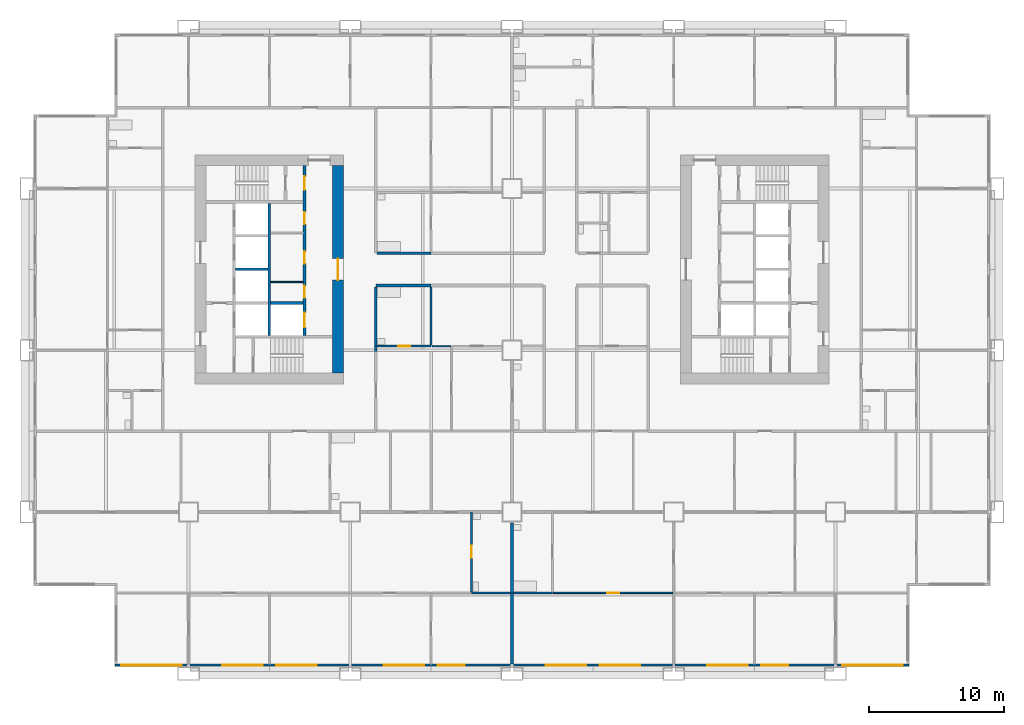
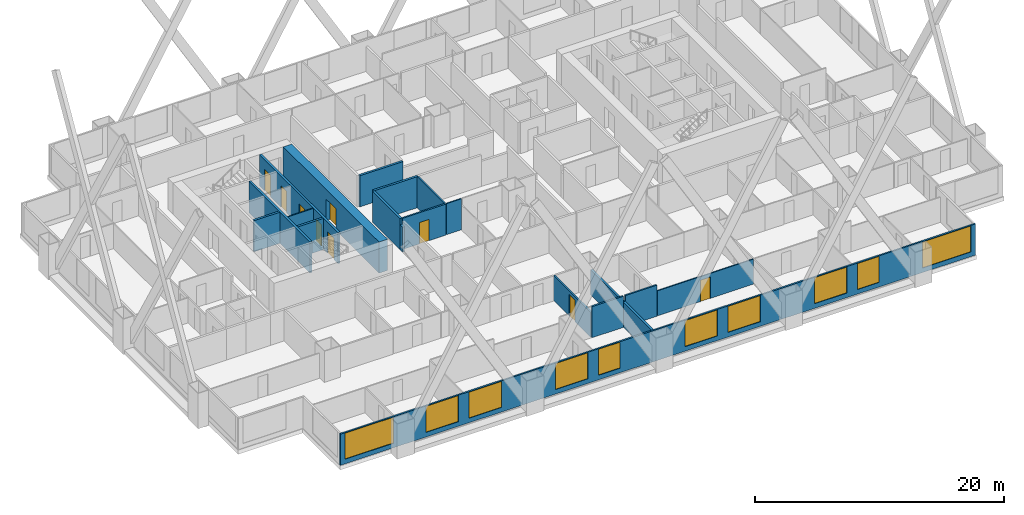
# One storey, part 4 of 13: 20 walls, 10 windows, 9 doors, 19 openings.
"""IFC4 building model written with IfcOpenShell, lengths in metres."""

from ifc_helpers import new_model, si_unit, direction, frame, frame_2d, origin, place, context, subcontext, project, spatial, rectangle, extrude, material, layer, layer_set, type_object, element, fill, save


model = new_model("IFC4")

# Units and contexts
model_context = context("Model", 3, precision=1e-05, world=origin(), true_north=direction((0.0, 1.0)))
body_context = subcontext(model_context, "Body", "Model", "MODEL_VIEW")
ifc_project = project(units=[si_unit("LENGTHUNIT", "METRE"), si_unit("AREAUNIT", "SQUARE_METRE"), si_unit("VOLUMEUNIT", "CUBIC_METRE"), si_unit("PLANEANGLEUNIT", "RADIAN"), si_unit("MASSUNIT", "GRAM", prefix="KILO")], contexts=[model_context])

# Site, building, storey
site_placement = place(None, origin())
site = spatial("IfcSite", under=ifc_project, at=site_placement, CompositionType="ELEMENT")
building_placement = place(site_placement, origin())
building = spatial("IfcBuilding", under=site, at=building_placement, Name="Kitamizu Gate Tower and Museum", CompositionType="ELEMENT")
storey_placement = place(building_placement, frame((0.0, 0.0, 71.39990234375)))
storey = spatial("IfcBuildingStorey", under=building, at=storey_placement, Name="L17", CompositionType="ELEMENT", Elevation=71.39990234375)

# Wall, opening, door
ifc_material_1 = material(Name="Concrete Fc60", Category="concrete")
ifc_layer_1 = layer(ifc_material_1, 0.800048828125)
ifc_layer_set_1 = layer_set([ifc_layer_1], Name="Concrete Fc60")
wall_type_1 = type_object("IfcWallType", Name="Core wall 800", PredefinedType="SHEAR", material=ifc_layer_set_1)
wall_1_placement = place(storey_placement, frame((23.10009765625, 22.300048828125, 0.0), z_axis=(0.0, 0.0, 1.0), x_axis=(0.0, 1.0, 0.0)))
wall_1 = element("IfcWall", 1, at=wall_1_placement, inside=storey, type_object=wall_type_1, Name="Core wall WARC", PredefinedType="SHEAR", context=body_context, shape_type="SweptSolid", body=[
    extrude(rectangle(XDim=15.39990234375, YDim=0.800048828125, at=frame_2d((7.699951171875, 0.0))), origin(), (0.0, 0.0, 1.0), 3.050048828125),
])
opening_1_placement = place(wall_1_placement, frame((6.89990234375, 0.0, 0.0)))
opening_1 = element("IfcOpeningElement", 2, at=opening_1_placement, cuts=wall_1, Name="Opening L17-079", PredefinedType="OPENING", context=body_context, shape_type="SweptSolid", body=[
    extrude(rectangle(XDim=1.60009765625, YDim=2.10009765625, at=frame_2d((0.800048828125, 1.050048828125))), frame((0.0, 0.41015625, 0.0), z_axis=(0.0, -1.0, 0.0), x_axis=(1.0, 0.0, 0.0)), (0.0, 0.0, 1.0), 0.820068359375),
])
ifc_material_2 = material(Name="Timber door set", Category="wood")
door_type_1 = type_object("IfcDoorType", Name="Entrance door 1600", OperationType="DOUBLE_DOOR_SINGLE_SWING", PredefinedType="DOOR", material=ifc_material_2)
door_1_placement = place(opening_1_placement, origin())
door_1 = element("IfcDoor", 3, at=door_1_placement, inside=storey, type_object=door_type_1, Name="Lobby door L17-079", OperationType="DOUBLE_DOOR_SINGLE_SWING", OverallHeight=2.10009765625, OverallWidth=1.60009765625, PredefinedType="DOOR", context=body_context, shape_type="SweptSolid", body=[
    extrude(rectangle(XDim=1.60009765625, YDim=2.10009765625, at=frame_2d((0.800048828125, 1.050048828125))), frame((0.0, 0.02490234375, 0.0), z_axis=(0.0, -1.0, 0.0), x_axis=(1.0, 0.0, 0.0)), (0.0, 0.0, 1.0), 0.050048828125),
])
fill(opening_1, door_1)

# Walls
ifc_material_3 = material(Name="Gypsum board on galvanised stud")
ifc_layer_2 = layer(ifc_material_3, 0.10009765625)
ifc_layer_set_2 = layer_set([ifc_layer_2], Name="Gypsum board on galvanised stud")
wall_type_2 = type_object("IfcWallType", Name="Partition 100", PredefinedType="PARTITIONING", material=ifc_layer_set_2)
wall_2_placement = place(storey_placement, frame((18.10009765625, 29.06005859375, 0.0), z_axis=(0.0, 0.0, 1.0), x_axis=(1.0, 0.0, 0.0)))
element("IfcWall", 4, at=wall_2_placement, inside=storey, type_object=wall_type_2, Name="Partition WPF1", PredefinedType="PARTITIONING", context=body_context, shape_type="SweptSolid", body=[
    extrude(rectangle(XDim=2.39990234375, YDim=0.10009765625, at=frame_2d((1.199951171875, 0.0))), origin(), (0.0, 0.0, 1.0), 3.050048828125),
])
ifc_material_4 = material(Name="Gypsum board on galvanised stud")
ifc_layer_3 = layer(ifc_material_4, 0.10009765625)
ifc_layer_set_3 = layer_set([ifc_layer_3], Name="Gypsum board on galvanised stud")
wall_type_3 = type_object("IfcWallType", Name="Partition 100 NOT RATED", PredefinedType="PARTITIONING", material=ifc_layer_set_3)
wall_3_placement = place(storey_placement, frame((31.449951171875, 24.300048828125, 0.0), z_axis=(0.0, 0.0, 1.0), x_axis=(-1.0, 0.0, 0.0)))
element("IfcWall", 5, at=wall_3_placement, inside=storey, type_object=wall_type_3, Name="Partition L17-040", PredefinedType="PARTITIONING", context=body_context, shape_type="SweptSolid", body=[
    extrude(rectangle(XDim=1.375, YDim=0.10009765625, at=frame_2d((0.6875, 0.0))), origin(), (0.0, 0.0, 1.0), 3.050048828125),
])

# Wall, opening, door
wall_4_placement = place(storey_placement, frame((47.949951171875, 6.0, 0.0), z_axis=(0.0, 0.0, 1.0), x_axis=(-1.0, 0.0, 0.0)))
wall_4 = element("IfcWall", 6, at=wall_4_placement, inside=storey, type_object=wall_type_3, Name="Partition L17-076", PredefinedType="PARTITIONING", context=body_context, shape_type="SweptSolid", body=[
    extrude(rectangle(XDim=8.875, YDim=0.10009765625, at=frame_2d((4.4375, 0.0))), origin(), (0.0, 0.0, 1.0), 2.4501953125),
])
opening_2_placement = place(wall_4_placement, frame((3.987548828125, 0.0, 0.0)))
opening_2 = element("IfcOpeningElement", 7, at=opening_2_placement, cuts=wall_4, Name="Opening L17-032", PredefinedType="OPENING", context=body_context, shape_type="SweptSolid", body=[
    extrude(rectangle(XDim=0.89990234375, YDim=2.10009765625, at=frame_2d((0.449951171875, 1.050048828125))), frame((0.0, 0.06005859375, 0.0), z_axis=(0.0, -1.0, 0.0), x_axis=(1.0, 0.0, 0.0)), (0.0, 0.0, 1.0), 0.1201171875),
])
ifc_material_5 = material(Name="Timber door set", Category="wood")
door_type_2 = type_object("IfcDoorType", Name="Room door 900", OperationType="NOTDEFINED", PredefinedType="DOOR", material=ifc_material_5)
door_2_placement = place(opening_2_placement, origin())
door_2 = element("IfcDoor", 8, at=door_2_placement, inside=storey, type_object=door_type_2, Name="Door L17-032", OperationType="SINGLE_SWING_RIGHT", OverallHeight=2.10009765625, OverallWidth=0.89990234375, PredefinedType="DOOR", context=body_context, shape_type="SweptSolid", body=[
    extrude(rectangle(XDim=0.89990234375, YDim=2.10009765625, at=frame_2d((0.449951171875, 1.050048828125))), frame((0.0, 0.02490234375, 0.0), z_axis=(0.0, -1.0, 0.0), x_axis=(1.0, 0.0, 0.0)), (0.0, 0.0, 1.0), 0.050048828125),
])
fill(opening_2, door_2)

# Wall
ifc_material_6 = material(Name="Gypsum board on galvanised stud")
ifc_layer_4 = layer(ifc_material_6, 0.14990234375)
ifc_layer_set_4 = layer_set([ifc_layer_4], Name="Gypsum board on galvanised stud")
wall_type_4 = type_object("IfcWallType", Name="Partition 150", PredefinedType="PARTITIONING", material=ifc_layer_set_4)
wall_5_placement = place(storey_placement, frame((35.89990234375, 6.0, 0.0), z_axis=(0.0, 0.0, 1.0), x_axis=(-1.0, 0.0, 0.0)))
element("IfcWall", 9, at=wall_5_placement, inside=storey, type_object=wall_type_4, Name="Partition L17-009", PredefinedType="PARTITIONING", context=body_context, shape_type="SweptSolid", body=[
    extrude(rectangle(XDim=2.89990234375, YDim=0.14990234375, at=frame_2d((1.449951171875, 0.0))), origin(), (0.0, 0.0, 1.0), 3.050048828125),
])

# Wall, opening, door
wall_6_placement = place(storey_placement, frame((33.0, 6.074951171875, 0.0), z_axis=(0.0, 0.0, 1.0), x_axis=(0.0, 1.0, 0.0)))
wall_6 = element("IfcWall", 10, at=wall_6_placement, inside=storey, type_object=wall_type_4, Name="Partition L17-011", PredefinedType="PARTITIONING", context=body_context, shape_type="SweptSolid", body=[
    extrude(rectangle(XDim=5.925048828125, YDim=0.14990234375, at=frame_2d((2.96240234375, 0.0))), origin(), (0.0, 0.0, 1.0), 2.4501953125),
])
opening_3_placement = place(wall_6_placement, frame((2.512451171875, 0.0, 0.0)))
opening_3 = element("IfcOpeningElement", 11, at=opening_3_placement, cuts=wall_6, Name="Opening L17-007", PredefinedType="OPENING", context=body_context, shape_type="SweptSolid", body=[
    extrude(rectangle(XDim=0.89990234375, YDim=2.10009765625, at=frame_2d((0.449951171875, 1.050048828125))), frame((0.0, 0.0849609375, 0.0), z_axis=(0.0, -1.0, 0.0), x_axis=(1.0, 0.0, 0.0)), (0.0, 0.0, 1.0), 0.169921875),
])
ifc_material_7 = material(Name="Timber door set", Category="wood")
door_type_3 = type_object("IfcDoorType", Name="Bathroom door 900", OperationType="NOTDEFINED", PredefinedType="DOOR", material=ifc_material_7)
door_3_placement = place(opening_3_placement, frame((0.89990234375, 0.0, 0.0), x_axis=(-1.0, 0.0, 0.0)))
door_3 = element("IfcDoor", 12, at=door_3_placement, inside=storey, type_object=door_type_3, Name="Bathroom door L17-007", OperationType="SINGLE_SWING_LEFT", OverallHeight=2.10009765625, OverallWidth=0.89990234375, PredefinedType="DOOR", context=body_context, shape_type="SweptSolid", body=[
    extrude(rectangle(XDim=0.89990234375, YDim=2.10009765625, at=frame_2d((0.449951171875, 1.050048828125))), frame((0.0, 0.02490234375, 0.0), z_axis=(0.0, -1.0, 0.0), x_axis=(1.0, 0.0, 0.0)), (0.0, 0.0, 1.0), 0.050048828125),
])
fill(opening_3, door_3)

wall_7_placement = place(storey_placement, frame((30.0, 24.300048828125, 0.0), z_axis=(0.0, 0.0, 1.0), x_axis=(-1.0, 0.0, 0.0)))
wall_7 = element("IfcWall", 13, at=wall_7_placement, inside=storey, type_object=wall_type_4, Name="Partition L17-039", PredefinedType="PARTITIONING", context=body_context, shape_type="SweptSolid", body=[
    extrude(rectangle(XDim=4.0, YDim=0.14990234375, at=frame_2d((2.0, 0.0))), origin(), (0.0, 0.0, 1.0), 3.050048828125),
])
opening_4_placement = place(wall_7_placement, frame((1.550048828125, 0.0, 0.0)))
opening_4 = element("IfcOpeningElement", 14, at=opening_4_placement, cuts=wall_7, Name="Opening L17-016", PredefinedType="OPENING", context=body_context, shape_type="SweptSolid", body=[
    extrude(rectangle(XDim=0.89990234375, YDim=2.10009765625, at=frame_2d((0.449951171875, 1.050048828125))), frame((0.0, 0.0849609375, 0.0), z_axis=(0.0, -1.0, 0.0), x_axis=(1.0, 0.0, 0.0)), (0.0, 0.0, 1.0), 0.169921875),
])
door_4_placement = place(opening_4_placement, frame((0.89990234375, 0.0, 0.0), x_axis=(-1.0, 0.0, 0.0)))
door_4 = element("IfcDoor", 15, at=door_4_placement, inside=storey, type_object=door_type_3, Name="Bathroom door L17-016", OperationType="SINGLE_SWING_LEFT", OverallHeight=2.10009765625, OverallWidth=0.89990234375, PredefinedType="DOOR", context=body_context, shape_type="SweptSolid", body=[
    extrude(rectangle(XDim=0.89990234375, YDim=2.10009765625, at=frame_2d((0.449951171875, 1.050048828125))), frame((0.0, 0.02490234375, 0.0), z_axis=(0.0, -1.0, 0.0), x_axis=(1.0, 0.0, 0.0)), (0.0, 0.0, 1.0), 0.050048828125),
])
fill(opening_4, door_4)

# Walls
wall_8_placement = place(storey_placement, frame((30.0, 24.375, 0.0), z_axis=(0.0, 0.0, 1.0), x_axis=(0.0, 1.0, 0.0)))
element("IfcWall", 16, at=wall_8_placement, inside=storey, type_object=wall_type_4, Name="Partition L17-048", PredefinedType="PARTITIONING", context=body_context, shape_type="SweptSolid", body=[
    extrude(rectangle(XDim=4.324951171875, YDim=0.14990234375, at=frame_2d((2.16259765625, 0.0))), origin(), (0.0, 0.0, 1.0), 3.050048828125),
])
wall_9_placement = place(storey_placement, frame((39.0, 6.0, 0.0), z_axis=(0.0, 0.0, 1.0), x_axis=(-1.0, 0.0, 0.0)))
element("IfcWall", 17, at=wall_9_placement, inside=storey, type_object=wall_type_4, Name="Partition L17-075", PredefinedType="PARTITIONING", context=body_context, shape_type="SweptSolid", body=[
    extrude(rectangle(XDim=2.89990234375, YDim=0.14990234375, at=frame_2d((1.449951171875, 0.0))), origin(), (0.0, 0.0, 1.0), 3.050048828125),
])
ifc_material_8 = material(Name="Gypsum board on galvanised stud")
ifc_layer_5 = layer(ifc_material_8, 0.199951171875)
ifc_layer_set_5 = layer_set([ifc_layer_5], Name="Gypsum board on galvanised stud")
wall_type_5 = type_object("IfcWallType", Name="Partition 200", PredefinedType="PARTITIONING", material=ifc_layer_set_5)
wall_10_placement = place(storey_placement, frame((36.0, 0.719970703125, 0.0), z_axis=(0.0, 0.0, 1.0), x_axis=(0.0, 1.0, 0.0)))
element("IfcWall", 18, at=wall_10_placement, inside=storey, type_object=wall_type_5, Name="Partition L17-010", PredefinedType="PARTITIONING", context=body_context, shape_type="SweptSolid", body=[
    extrude(rectangle(XDim=5.280029296875, YDim=0.199951171875, at=frame_2d((2.64013671875, 0.0))), origin(), (0.0, 0.0, 1.0), 2.4501953125),
])
wall_11_placement = place(storey_placement, frame((36.0, 6.0, 0.0), z_axis=(0.0, 0.0, 1.0), x_axis=(0.0, 1.0, 0.0)))
element("IfcWall", 19, at=wall_11_placement, inside=storey, type_object=wall_type_5, Name="Partition L17-020", PredefinedType="PARTITIONING", context=body_context, shape_type="SweptSolid", body=[
    extrude(rectangle(XDim=5.199951171875, YDim=0.199951171875, at=frame_2d((2.60009765625, 0.0))), origin(), (0.0, 0.0, 1.0), 2.4501953125),
])
wall_12_placement = place(storey_placement, frame((25.89990234375, 24.300048828125, 0.0), z_axis=(0.0, 0.0, 1.0), x_axis=(0.0, -1.0, 0.0)))
element("IfcWall", 20, at=wall_12_placement, inside=storey, type_object=wall_type_5, Name="Partition L17-041", PredefinedType="PARTITIONING", context=body_context, shape_type="SweptSolid", body=[
    extrude(rectangle(XDim=0.400146484375, YDim=0.199951171875, at=frame_2d((0.2001953125, 0.0))), origin(), (0.0, 0.0, 1.0), 2.4501953125),
])
wall_13_placement = place(storey_placement, frame((30.0, 28.800048828125, 0.0), z_axis=(0.0, 0.0, 1.0), x_axis=(-1.0, 0.0, 0.0)))
element("IfcWall", 21, at=wall_13_placement, inside=storey, type_object=wall_type_5, Name="Partition L17-049", PredefinedType="PARTITIONING", context=body_context, shape_type="SweptSolid", body=[
    extrude(rectangle(XDim=4.10009765625, YDim=0.199951171875, at=frame_2d((2.050048828125, 0.0))), origin(), (0.0, 0.0, 1.0), 3.050048828125),
])
wall_14_placement = place(storey_placement, frame((25.89990234375, 28.699951171875, 0.0), z_axis=(0.0, 0.0, 1.0), x_axis=(0.0, -1.0, 0.0)))
element("IfcWall", 22, at=wall_14_placement, inside=storey, type_object=wall_type_5, Name="Partition L17-050", PredefinedType="PARTITIONING", context=body_context, shape_type="SweptSolid", body=[
    extrude(rectangle(XDim=4.39990234375, YDim=0.199951171875, at=frame_2d((2.199951171875, 0.0))), origin(), (0.0, 0.0, 1.0), 3.050048828125),
])
wall_15_placement = place(storey_placement, frame((26.0, 31.199951171875, 0.0), z_axis=(0.0, 0.0, 1.0), x_axis=(1.0, 0.0, 0.0)))
element("IfcWall", 23, at=wall_15_placement, inside=storey, type_object=wall_type_5, Name="Partition L17-167", PredefinedType="PARTITIONING", context=body_context, shape_type="SweptSolid", body=[
    extrude(rectangle(XDim=4.0, YDim=0.199951171875, at=frame_2d((2.0, 0.0))), origin(), (0.0, 0.0, 1.0), 3.050048828125),
])

# Wall, openings, doors
ifc_material_9 = material(Name="Concrete Fc42", Category="concrete")
ifc_layer_6 = layer(ifc_material_9, 0.199951171875)
ifc_layer_set_6 = layer_set([ifc_layer_6], Name="Concrete Fc42")
wall_type_6 = type_object("IfcWallType", Name="Shaft wall 200", PredefinedType="SOLIDWALL", material=ifc_layer_set_6)
wall_16_placement = place(storey_placement, frame((20.60009765625, 25.10009765625, 0.0), z_axis=(0.0, 0.0, 1.0), x_axis=(0.0, 1.0, 0.0)))
wall_16 = element("IfcWall", 24, at=wall_16_placement, inside=storey, type_object=wall_type_6, Name="Shaft wall WEAST", PredefinedType="SOLIDWALL", context=body_context, shape_type="SweptSolid", body=[
    extrude(rectangle(XDim=12.599853515625, YDim=0.199951171875, at=frame_2d((6.2998046875, 0.0))), origin(), (0.0, 0.0, 1.0), 3.050048828125),
])
opening_5_placement = place(wall_16_placement, frame((0.60009765625, 0.0, 0.0)))
opening_5 = element("IfcOpeningElement", 25, at=opening_5_placement, cuts=wall_16, Name="Opening LD", PredefinedType="OPENING", context=body_context, shape_type="SweptSolid", body=[
    extrude(rectangle(XDim=1.10009765625, YDim=2.10009765625, at=frame_2d((0.550048828125, 1.050048828125))), frame((0.0, 0.10986328125, 0.0), z_axis=(0.0, -1.0, 0.0), x_axis=(1.0, 0.0, 0.0)), (0.0, 0.0, 1.0), 0.219970703125),
])
opening_6_placement = place(wall_16_placement, frame((10.800048828125, 0.0, 0.0)))
opening_6 = element("IfcOpeningElement", 26, at=opening_6_placement, cuts=wall_16, Name="Opening L17-073", PredefinedType="OPENING", context=body_context, shape_type="SweptSolid", body=[
    extrude(rectangle(XDim=1.0, YDim=2.10009765625, at=frame_2d((0.5, 1.050048828125))), frame((0.0, 0.10986328125, 0.0), z_axis=(0.0, -1.0, 0.0), x_axis=(1.0, 0.0, 0.0)), (0.0, 0.0, 1.0), 0.219970703125),
])
opening_7_placement = place(wall_16_placement, frame((2.780029296875, 0.0, 0.0)))
opening_7 = element("IfcOpeningElement", 27, at=opening_7_placement, cuts=wall_16, Name="Opening L17-080", PredefinedType="OPENING", context=body_context, shape_type="SweptSolid", body=[
    extrude(rectangle(XDim=0.89990234375, YDim=2.10009765625, at=frame_2d((0.449951171875, 1.050048828125))), frame((0.0, 0.10986328125, 0.0), z_axis=(0.0, -1.0, 0.0), x_axis=(1.0, 0.0, 0.0)), (0.0, 0.0, 1.0), 0.219970703125),
])
opening_8_placement = place(wall_16_placement, frame((5.3349609375, 0.0, 0.0)))
opening_8 = element("IfcOpeningElement", 28, at=opening_8_placement, cuts=wall_16, Name="Opening L17-081", PredefinedType="OPENING", context=body_context, shape_type="SweptSolid", body=[
    extrude(rectangle(XDim=0.89990234375, YDim=2.10009765625, at=frame_2d((0.449951171875, 1.050048828125))), frame((0.0, 0.10986328125, 0.0), z_axis=(0.0, -1.0, 0.0), x_axis=(1.0, 0.0, 0.0)), (0.0, 0.0, 1.0), 0.219970703125),
])
opening_9_placement = place(wall_16_placement, frame((8.2548828125, 0.0, 0.0)))
opening_9 = element("IfcOpeningElement", 29, at=opening_9_placement, cuts=wall_16, Name="Opening L17-082", PredefinedType="OPENING", context=body_context, shape_type="SweptSolid", body=[
    extrude(rectangle(XDim=0.89990234375, YDim=2.10009765625, at=frame_2d((0.449951171875, 1.050048828125))), frame((0.0, 0.10986328125, 0.0), z_axis=(0.0, -1.0, 0.0), x_axis=(1.0, 0.0, 0.0)), (0.0, 0.0, 1.0), 0.219970703125),
])
ifc_material_10 = material(Name="Hollow metal door set")
door_type_4 = type_object("IfcDoorType", Name="Fire door 1000", OperationType="NOTDEFINED", PredefinedType="DOOR", material=ifc_material_10)
door_5_placement = place(opening_6_placement, origin())
door_5 = element("IfcDoor", 30, at=door_5_placement, inside=storey, type_object=door_type_4, Name="Stair lobby door L17-073", OperationType="SINGLE_SWING_RIGHT", OverallHeight=2.10009765625, OverallWidth=1.0, PredefinedType="DOOR", context=body_context, shape_type="SweptSolid", body=[
    extrude(rectangle(XDim=1.0, YDim=2.10009765625, at=frame_2d((0.5, 1.050048828125))), frame((0.0, 0.02490234375, 0.0), z_axis=(0.0, -1.0, 0.0), x_axis=(1.0, 0.0, 0.0)), (0.0, 0.0, 1.0), 0.050048828125),
])
fill(opening_6, door_5)
ifc_material_11 = material(Name="Hollow metal door set")
door_type_5 = type_object("IfcDoorType", Name="Landing door 1100", OperationType="SLIDING_TO_LEFT", PredefinedType="DOOR", material=ifc_material_11)
door_6_placement = place(opening_5_placement, origin())
door_6 = element("IfcDoor", 31, at=door_6_placement, inside=storey, type_object=door_type_5, Name="Landing door WSV1", OperationType="SLIDING_TO_LEFT", OverallHeight=2.10009765625, OverallWidth=1.10009765625, PredefinedType="DOOR", context=body_context, shape_type="SweptSolid", body=[
    extrude(rectangle(XDim=1.10009765625, YDim=2.10009765625, at=frame_2d((0.550048828125, 1.050048828125))), frame((0.0, 0.02490234375, 0.0), z_axis=(0.0, -1.0, 0.0), x_axis=(1.0, 0.0, 0.0)), (0.0, 0.0, 1.0), 0.050048828125),
])
fill(opening_5, door_6)
ifc_material_12 = material(Name="Timber door set", Category="wood")
door_type_6 = type_object("IfcDoorType", Name="Service door 900", OperationType="NOTDEFINED", PredefinedType="DOOR", material=ifc_material_12)
door_7_placement = place(opening_7_placement, origin())
door_7 = element("IfcDoor", 32, at=door_7_placement, inside=storey, type_object=door_type_6, Name="Service door L17-080", OperationType="SINGLE_SWING_RIGHT", OverallHeight=2.10009765625, OverallWidth=0.89990234375, PredefinedType="DOOR", context=body_context, shape_type="SweptSolid", body=[
    extrude(rectangle(XDim=0.89990234375, YDim=2.10009765625, at=frame_2d((0.449951171875, 1.050048828125))), frame((0.0, 0.02490234375, 0.0), z_axis=(0.0, -1.0, 0.0), x_axis=(1.0, 0.0, 0.0)), (0.0, 0.0, 1.0), 0.050048828125),
])
fill(opening_7, door_7)
door_8_placement = place(opening_8_placement, origin())
door_8 = element("IfcDoor", 33, at=door_8_placement, inside=storey, type_object=door_type_6, Name="Service door L17-081", OperationType="SINGLE_SWING_LEFT", OverallHeight=2.10009765625, OverallWidth=0.89990234375, PredefinedType="DOOR", context=body_context, shape_type="SweptSolid", body=[
    extrude(rectangle(XDim=0.89990234375, YDim=2.10009765625, at=frame_2d((0.449951171875, 1.050048828125))), frame((0.0, 0.02490234375, 0.0), z_axis=(0.0, -1.0, 0.0), x_axis=(1.0, 0.0, 0.0)), (0.0, 0.0, 1.0), 0.050048828125),
])
fill(opening_8, door_8)
door_9_placement = place(opening_9_placement, origin())
door_9 = element("IfcDoor", 34, at=door_9_placement, inside=storey, type_object=door_type_6, Name="Service door L17-082", OperationType="SINGLE_SWING_RIGHT", OverallHeight=2.10009765625, OverallWidth=0.89990234375, PredefinedType="DOOR", context=body_context, shape_type="SweptSolid", body=[
    extrude(rectangle(XDim=0.89990234375, YDim=2.10009765625, at=frame_2d((0.449951171875, 1.050048828125))), frame((0.0, 0.02490234375, 0.0), z_axis=(0.0, -1.0, 0.0), x_axis=(1.0, 0.0, 0.0)), (0.0, 0.0, 1.0), 0.050048828125),
])
fill(opening_9, door_9)

# Walls
wall_17_placement = place(storey_placement, frame((18.0, 25.10009765625, 0.0), z_axis=(0.0, 0.0, 1.0), x_axis=(0.0, 1.0, 0.0)))
element("IfcWall", 35, at=wall_17_placement, inside=storey, type_object=wall_type_6, Name="Shaft wall WMID", PredefinedType="SOLIDWALL", context=body_context, shape_type="SweptSolid", body=[
    extrude(rectangle(XDim=9.7998046875, YDim=0.199951171875, at=frame_2d((4.89990234375, 0.0))), origin(), (0.0, 0.0, 1.0), 3.050048828125),
])
for number, where, z_axis, x_axis, name in (
    (36, (15.5, 30.0, 0.0), (0.0, 0.0, 1.0), (1.0, 0.0, 0.0), "Shaft wall WDVW1"),
    (37, (18.10009765625, 27.5, 0.0), (0.0, 0.0, 1.0), (1.0, 0.0, 0.0), "Shaft wall WDVE0"),
):
    element("IfcWall", number, at=place(storey_placement, frame(where, z_axis=z_axis, x_axis=x_axis)), inside=storey, type_object=wall_type_6, Name=name, PredefinedType="SOLIDWALL", context=body_context, shape_type="SweptSolid", body=[
        extrude(rectangle(XDim=2.39990234375, YDim=0.199951171875, at=frame_2d((1.199951171875, 0.0))), origin(), (0.0, 0.0, 1.0), 3.050048828125),
    ])

# Wall, openings, windows
ifc_material_13 = material(Name="Bronze anodised aluminium frame with insulated spandrel and tinted glass", Category="aluminium")
ifc_layer_7 = layer(ifc_material_13, 0.14990234375)
ifc_layer_set_7 = layer_set([ifc_layer_7], Name="Bronze anodised aluminium frame with insulated spandrel and tinted glass")
wall_type_7 = type_object("IfcWallType", Name="WINDOW WALL 150 BRONZE FRAME EI 30", PredefinedType="ELEMENTEDWALL", material=ifc_layer_set_7)
wall_18_placement = place(storey_placement, frame((6.56005859375, 0.635009765625, 0.0), z_axis=(0.0, 0.0, 1.0), x_axis=(1.0, 0.0, 0.0)))
wall_18 = element("IfcWall", 38, at=wall_18_placement, inside=storey, type_object=wall_type_7, Name="Window wall south L17", PredefinedType="ELEMENTEDWALL", context=body_context, shape_type="SweptSolid", body=[
    extrude(rectangle(XDim=58.8798828125, YDim=0.14990234375, at=frame_2d((29.43994140625, 0.0))), origin(), (0.0, 0.0, 1.0), 3.050048828125),
])
opening_10_placement = place(wall_18_placement, frame((0.43994140625, 0.0, 0.449951171875)))
opening_10 = element("IfcOpeningElement", 39, at=opening_10_placement, cuts=wall_18, Name="Opening W15", PredefinedType="OPENING", context=body_context, shape_type="SweptSolid", body=[
    extrude(rectangle(XDim=4.5, YDim=2.550048828125, at=frame_2d((2.25, 1.27490234375))), frame((0.0, 0.0849609375, 0.0), z_axis=(0.0, -1.0, 0.0), x_axis=(1.0, 0.0, 0.0)), (0.0, 0.0, 1.0), 0.169921875),
])
opening_11_placement = place(wall_18_placement, frame((7.93994140625, 0.0, 0.449951171875)))
opening_11 = element("IfcOpeningElement", 40, at=opening_11_placement, cuts=wall_18, Name="Opening W33", PredefinedType="OPENING", context=body_context, shape_type="SweptSolid", body=[
    extrude(rectangle(XDim=3.0, YDim=2.550048828125, at=frame_2d((1.5, 1.27490234375))), frame((0.0, 0.0849609375, 0.0), z_axis=(0.0, -1.0, 0.0), x_axis=(1.0, 0.0, 0.0)), (0.0, 0.0, 1.0), 0.169921875),
])
opening_12_placement = place(wall_18_placement, frame((11.93994140625, 0.0, 0.449951171875)))
opening_12 = element("IfcOpeningElement", 41, at=opening_12_placement, cuts=wall_18, Name="Opening W33", PredefinedType="OPENING", context=body_context, shape_type="SweptSolid", body=[
    extrude(rectangle(XDim=3.0, YDim=2.550048828125, at=frame_2d((1.5, 1.27490234375))), frame((0.0, 0.0849609375, 0.0), z_axis=(0.0, -1.0, 0.0), x_axis=(1.0, 0.0, 0.0)), (0.0, 0.0, 1.0), 0.169921875),
])
opening_13_placement = place(wall_18_placement, frame((19.93994140625, 0.0, 0.449951171875)))
opening_13 = element("IfcOpeningElement", 42, at=opening_13_placement, cuts=wall_18, Name="Opening W33", PredefinedType="OPENING", context=body_context, shape_type="SweptSolid", body=[
    extrude(rectangle(XDim=3.0, YDim=2.550048828125, at=frame_2d((1.5, 1.27490234375))), frame((0.0, 0.0849609375, 0.0), z_axis=(0.0, -1.0, 0.0), x_axis=(1.0, 0.0, 0.0)), (0.0, 0.0, 1.0), 0.169921875),
])
opening_14_placement = place(wall_18_placement, frame((23.93994140625, 0.0, 0.449951171875)))
opening_14 = element("IfcOpeningElement", 43, at=opening_14_placement, cuts=wall_18, Name="Opening W2", PredefinedType="OPENING", context=body_context, shape_type="SweptSolid", body=[
    extrude(rectangle(XDim=2.0, YDim=2.550048828125, at=frame_2d((1.0, 1.27490234375))), frame((0.0, 0.0849609375, 0.0), z_axis=(0.0, -1.0, 0.0), x_axis=(1.0, 0.0, 0.0)), (0.0, 0.0, 1.0), 0.169921875),
])
opening_15_placement = place(wall_18_placement, frame((31.93994140625, 0.0, 0.449951171875)))
opening_15 = element("IfcOpeningElement", 44, at=opening_15_placement, cuts=wall_18, Name="Opening W33", PredefinedType="OPENING", context=body_context, shape_type="SweptSolid", body=[
    extrude(rectangle(XDim=3.0, YDim=2.550048828125, at=frame_2d((1.5, 1.27490234375))), frame((0.0, 0.0849609375, 0.0), z_axis=(0.0, -1.0, 0.0), x_axis=(1.0, 0.0, 0.0)), (0.0, 0.0, 1.0), 0.169921875),
])
opening_16_placement = place(wall_18_placement, frame((35.93994140625, 0.0, 0.449951171875)))
opening_16 = element("IfcOpeningElement", 45, at=opening_16_placement, cuts=wall_18, Name="Opening W33", PredefinedType="OPENING", context=body_context, shape_type="SweptSolid", body=[
    extrude(rectangle(XDim=3.0, YDim=2.550048828125, at=frame_2d((1.5, 1.27490234375))), frame((0.0, 0.0849609375, 0.0), z_axis=(0.0, -1.0, 0.0), x_axis=(1.0, 0.0, 0.0)), (0.0, 0.0, 1.0), 0.169921875),
])
opening_17_placement = place(wall_18_placement, frame((43.93994140625, 0.0, 0.449951171875)))
opening_17 = element("IfcOpeningElement", 46, at=opening_17_placement, cuts=wall_18, Name="Opening W33", PredefinedType="OPENING", context=body_context, shape_type="SweptSolid", body=[
    extrude(rectangle(XDim=3.0, YDim=2.550048828125, at=frame_2d((1.5, 1.27490234375))), frame((0.0, 0.0849609375, 0.0), z_axis=(0.0, -1.0, 0.0), x_axis=(1.0, 0.0, 0.0)), (0.0, 0.0, 1.0), 0.169921875),
])
opening_18_placement = place(wall_18_placement, frame((47.93994140625, 0.0, 0.449951171875)))
opening_18 = element("IfcOpeningElement", 47, at=opening_18_placement, cuts=wall_18, Name="Opening W2", PredefinedType="OPENING", context=body_context, shape_type="SweptSolid", body=[
    extrude(rectangle(XDim=2.0, YDim=2.550048828125, at=frame_2d((1.0, 1.27490234375))), frame((0.0, 0.0849609375, 0.0), z_axis=(0.0, -1.0, 0.0), x_axis=(1.0, 0.0, 0.0)), (0.0, 0.0, 1.0), 0.169921875),
])
opening_19_placement = place(wall_18_placement, frame((53.93994140625, 0.0, 0.449951171875)))
opening_19 = element("IfcOpeningElement", 48, at=opening_19_placement, cuts=wall_18, Name="Opening W15", PredefinedType="OPENING", context=body_context, shape_type="SweptSolid", body=[
    extrude(rectangle(XDim=4.5, YDim=2.550048828125, at=frame_2d((2.25, 1.27490234375))), frame((0.0, 0.0849609375, 0.0), z_axis=(0.0, -1.0, 0.0), x_axis=(1.0, 0.0, 0.0)), (0.0, 0.0, 1.0), 0.169921875),
])
ifc_material_14 = material(Name="Bronze anodised aluminium frame, tinted triple glazing", Category="aluminium")
window_type_1 = type_object("IfcWindowType", Name="WINDOW 2000 x 2550 SILL 450", PartitioningType="SINGLE_PANEL", PredefinedType="WINDOW", material=ifc_material_14)
window_1_placement = place(opening_14_placement, origin())
window_1 = element("IfcWindow", 49, at=window_1_placement, inside=storey, type_object=window_type_1, Name="Window W2 L17", OverallHeight=2.550048828125, OverallWidth=2.0, PartitioningType="SINGLE_PANEL", PredefinedType="WINDOW", context=body_context, shape_type="SweptSolid", body=[
    extrude(rectangle(XDim=2.0, YDim=2.550048828125, at=frame_2d((1.0, 1.27490234375))), frame((0.0, 0.030029296875, 0.0), z_axis=(0.0, -1.0, 0.0), x_axis=(1.0, 0.0, 0.0)), (0.0, 0.0, 1.0), 0.06005859375),
])
fill(opening_14, window_1)
window_2_placement = place(opening_18_placement, origin())
window_2 = element("IfcWindow", 50, at=window_2_placement, inside=storey, type_object=window_type_1, Name="Window W2 L17", OverallHeight=2.550048828125, OverallWidth=2.0, PartitioningType="SINGLE_PANEL", PredefinedType="WINDOW", context=body_context, shape_type="SweptSolid", body=[
    extrude(rectangle(XDim=2.0, YDim=2.550048828125, at=frame_2d((1.0, 1.27490234375))), frame((0.0, 0.030029296875, 0.0), z_axis=(0.0, -1.0, 0.0), x_axis=(1.0, 0.0, 0.0)), (0.0, 0.0, 1.0), 0.06005859375),
])
fill(opening_18, window_2)
ifc_material_15 = material(Name="Bronze anodised aluminium frame, tinted triple glazing", Category="aluminium")
window_type_2 = type_object("IfcWindowType", Name="WINDOW 3000 x 2550 SILL 450", PartitioningType="SINGLE_PANEL", PredefinedType="WINDOW", material=ifc_material_15)
window_3_placement = place(opening_11_placement, origin())
window_3 = element("IfcWindow", 51, at=window_3_placement, inside=storey, type_object=window_type_2, Name="Window W33 L17", OverallHeight=2.550048828125, OverallWidth=3.0, PartitioningType="SINGLE_PANEL", PredefinedType="WINDOW", context=body_context, shape_type="SweptSolid", body=[
    extrude(rectangle(XDim=3.0, YDim=2.550048828125, at=frame_2d((1.5, 1.27490234375))), frame((0.0, 0.030029296875, 0.0), z_axis=(0.0, -1.0, 0.0), x_axis=(1.0, 0.0, 0.0)), (0.0, 0.0, 1.0), 0.06005859375),
])
fill(opening_11, window_3)
window_4_placement = place(opening_12_placement, origin())
window_4 = element("IfcWindow", 52, at=window_4_placement, inside=storey, type_object=window_type_2, Name="Window W33 L17", OverallHeight=2.550048828125, OverallWidth=3.0, PartitioningType="SINGLE_PANEL", PredefinedType="WINDOW", context=body_context, shape_type="SweptSolid", body=[
    extrude(rectangle(XDim=3.0, YDim=2.550048828125, at=frame_2d((1.5, 1.27490234375))), frame((0.0, 0.030029296875, 0.0), z_axis=(0.0, -1.0, 0.0), x_axis=(1.0, 0.0, 0.0)), (0.0, 0.0, 1.0), 0.06005859375),
])
fill(opening_12, window_4)
window_5_placement = place(opening_13_placement, origin())
window_5 = element("IfcWindow", 53, at=window_5_placement, inside=storey, type_object=window_type_2, Name="Window W33 L17", OverallHeight=2.550048828125, OverallWidth=3.0, PartitioningType="SINGLE_PANEL", PredefinedType="WINDOW", context=body_context, shape_type="SweptSolid", body=[
    extrude(rectangle(XDim=3.0, YDim=2.550048828125, at=frame_2d((1.5, 1.27490234375))), frame((0.0, 0.030029296875, 0.0), z_axis=(0.0, -1.0, 0.0), x_axis=(1.0, 0.0, 0.0)), (0.0, 0.0, 1.0), 0.06005859375),
])
fill(opening_13, window_5)
window_6_placement = place(opening_15_placement, origin())
window_6 = element("IfcWindow", 54, at=window_6_placement, inside=storey, type_object=window_type_2, Name="Window W33 L17", OverallHeight=2.550048828125, OverallWidth=3.0, PartitioningType="SINGLE_PANEL", PredefinedType="WINDOW", context=body_context, shape_type="SweptSolid", body=[
    extrude(rectangle(XDim=3.0, YDim=2.550048828125, at=frame_2d((1.5, 1.27490234375))), frame((0.0, 0.030029296875, 0.0), z_axis=(0.0, -1.0, 0.0), x_axis=(1.0, 0.0, 0.0)), (0.0, 0.0, 1.0), 0.06005859375),
])
fill(opening_15, window_6)
window_7_placement = place(opening_16_placement, origin())
window_7 = element("IfcWindow", 55, at=window_7_placement, inside=storey, type_object=window_type_2, Name="Window W33 L17", OverallHeight=2.550048828125, OverallWidth=3.0, PartitioningType="SINGLE_PANEL", PredefinedType="WINDOW", context=body_context, shape_type="SweptSolid", body=[
    extrude(rectangle(XDim=3.0, YDim=2.550048828125, at=frame_2d((1.5, 1.27490234375))), frame((0.0, 0.030029296875, 0.0), z_axis=(0.0, -1.0, 0.0), x_axis=(1.0, 0.0, 0.0)), (0.0, 0.0, 1.0), 0.06005859375),
])
fill(opening_16, window_7)
window_8_placement = place(opening_17_placement, origin())
window_8 = element("IfcWindow", 56, at=window_8_placement, inside=storey, type_object=window_type_2, Name="Window W33 L17", OverallHeight=2.550048828125, OverallWidth=3.0, PartitioningType="SINGLE_PANEL", PredefinedType="WINDOW", context=body_context, shape_type="SweptSolid", body=[
    extrude(rectangle(XDim=3.0, YDim=2.550048828125, at=frame_2d((1.5, 1.27490234375))), frame((0.0, 0.030029296875, 0.0), z_axis=(0.0, -1.0, 0.0), x_axis=(1.0, 0.0, 0.0)), (0.0, 0.0, 1.0), 0.06005859375),
])
fill(opening_17, window_8)
ifc_material_16 = material(Name="Bronze anodised aluminium frame, tinted triple glazing", Category="aluminium")
window_type_3 = type_object("IfcWindowType", Name="WINDOW 4500 x 2550 SILL 450", PartitioningType="SINGLE_PANEL", PredefinedType="WINDOW", material=ifc_material_16)
window_9_placement = place(opening_10_placement, origin())
window_9 = element("IfcWindow", 57, at=window_9_placement, inside=storey, type_object=window_type_3, Name="Window W15 L17", OverallHeight=2.550048828125, OverallWidth=4.5, PartitioningType="SINGLE_PANEL", PredefinedType="WINDOW", context=body_context, shape_type="SweptSolid", body=[
    extrude(rectangle(XDim=4.5, YDim=2.550048828125, at=frame_2d((2.25, 1.27490234375))), frame((0.0, 0.030029296875, 0.0), z_axis=(0.0, -1.0, 0.0), x_axis=(1.0, 0.0, 0.0)), (0.0, 0.0, 1.0), 0.06005859375),
])
fill(opening_10, window_9)
window_10_placement = place(opening_19_placement, origin())
window_10 = element("IfcWindow", 58, at=window_10_placement, inside=storey, type_object=window_type_3, Name="Window W15 L17", OverallHeight=2.550048828125, OverallWidth=4.5, PartitioningType="SINGLE_PANEL", PredefinedType="WINDOW", context=body_context, shape_type="SweptSolid", body=[
    extrude(rectangle(XDim=4.5, YDim=2.550048828125, at=frame_2d((2.25, 1.27490234375))), frame((0.0, 0.030029296875, 0.0), z_axis=(0.0, -1.0, 0.0), x_axis=(1.0, 0.0, 0.0)), (0.0, 0.0, 1.0), 0.06005859375),
])
fill(opening_19, window_10)

save(model, "model.ifc")
